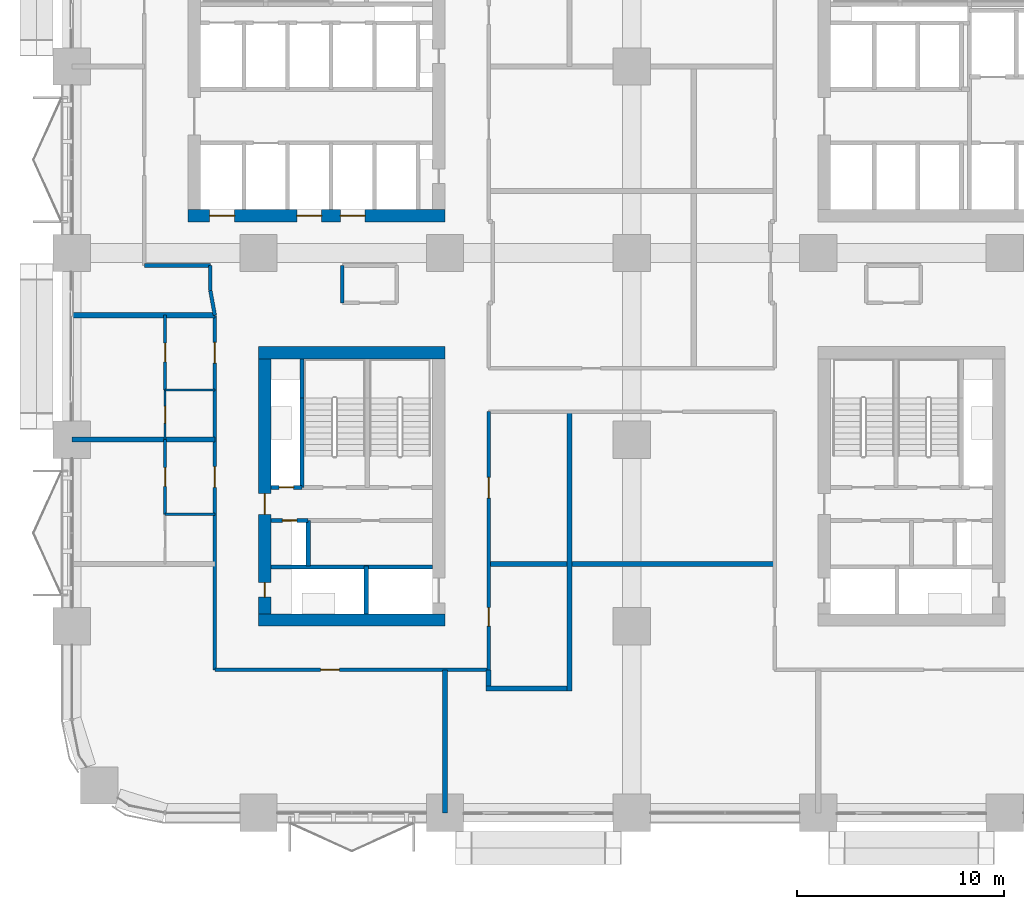
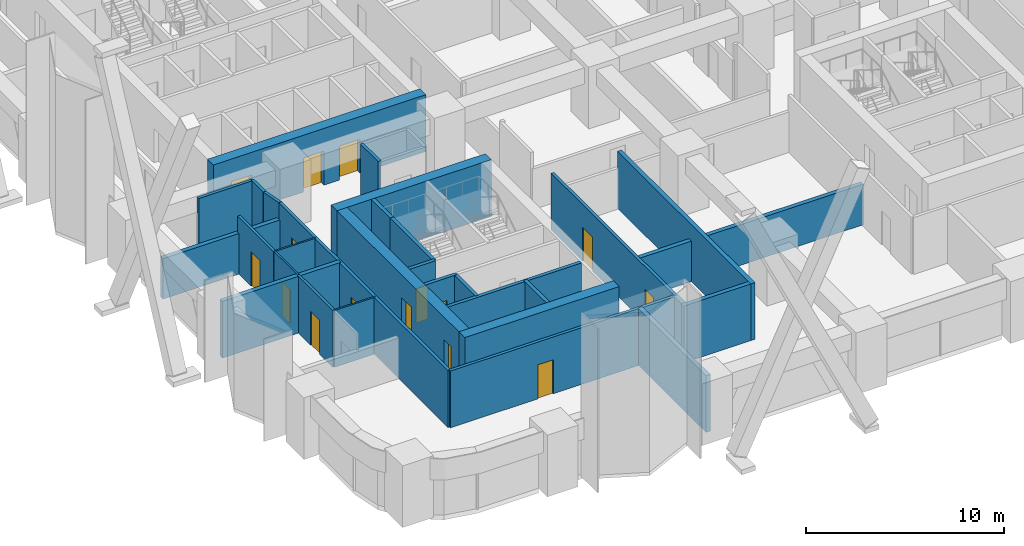
# One storey, part 14 of 23: 30 walls, 15 doors, 15 openings.
"""IFC4 building model written with IfcOpenShell, lengths in metres."""

from ifc_helpers import new_model, si_unit, direction, frame, frame_2d, origin, place, context, subcontext, project, spatial, rectangle, extrude, material, layer, layer_set, type_object, element, fill, save


model = new_model("IFC4")

# Units and contexts
model_context = context("Model", 3, precision=1e-05, world=origin(), true_north=direction((0.0, 1.0)))
body_context = subcontext(model_context, "Body", "Model", "MODEL_VIEW")
ifc_project = project(units=[si_unit("LENGTHUNIT", "METRE"), si_unit("AREAUNIT", "SQUARE_METRE"), si_unit("VOLUMEUNIT", "CUBIC_METRE"), si_unit("PLANEANGLEUNIT", "RADIAN"), si_unit("MASSUNIT", "GRAM", prefix="KILO")], contexts=[model_context])

# Site, building, storey
site_placement = place(None, origin())
site = spatial("IfcSite", under=ifc_project, at=site_placement, CompositionType="ELEMENT")
building_placement = place(site_placement, origin())
building = spatial("IfcBuilding", under=site, at=building_placement, Name="Tessera Arch", CompositionType="ELEMENT")
storey_placement = place(building_placement, frame((0.0, 0.0, 46.199951171875)))
storey = spatial("IfcBuildingStorey", under=building, at=storey_placement, Name="L09", CompositionType="ELEMENT", Elevation=46.199951171875)

# Wall, openings, doors
ifc_material_1 = material(Name="Concrete C70/85", Category="concrete")
ifc_layer_1 = layer(ifc_material_1, 0.60009765625)
ifc_layer_set_1 = layer_set([ifc_layer_1], Name="Core shell wall 600 C70-85")
wall_type_1 = type_object("IfcWallType", Name="Core shell wall 600 C70-85", PredefinedType="SHEAR", material=ifc_layer_set_1)
wall_1_placement = place(storey_placement, frame((5.60009765625, 28.800048828125, 0.0), z_axis=(0.0, 0.0, 1.0), x_axis=(1.0, 0.0, 0.0)))
wall_1 = element("IfcWall", 1, at=wall_1_placement, inside=storey, type_object=wall_type_1, Name="L09 C2 core wall S", PredefinedType="SHEAR", context=body_context, shape_type="SweptSolid", body=[
    extrude(rectangle(XDim=12.39990234375, YDim=0.60009765625, at=frame_2d((6.199951171875, 0.0))), origin(), (0.0, 0.0, 1.0), 3.5),
])
opening_1_placement = place(wall_1_placement, frame((1.050048828125, 0.0, 0.0)))
opening_1 = element("IfcOpeningElement", 2, at=opening_1_placement, cuts=wall_1, Name="Opening L09-C14", PredefinedType="OPENING", context=body_context, shape_type="SweptSolid", body=[
    extrude(rectangle(XDim=1.199951171875, YDim=2.10009765625, at=frame_2d((0.60009765625, 1.050048828125))), frame((0.0, 0.31005859375, 0.0), z_axis=(0.0, -1.0, 0.0), x_axis=(1.0, 0.0, 0.0)), (0.0, 0.0, 1.0), 0.6201171875),
])
opening_2_placement = place(wall_1_placement, frame((5.25, 0.0, 0.0)))
opening_2 = element("IfcOpeningElement", 3, at=opening_2_placement, cuts=wall_1, Name="Opening L09-C16", PredefinedType="OPENING", context=body_context, shape_type="SweptSolid", body=[
    extrude(rectangle(XDim=1.199951171875, YDim=2.10009765625, at=frame_2d((0.60009765625, 1.050048828125))), frame((0.0, 0.31005859375, 0.0), z_axis=(0.0, -1.0, 0.0), x_axis=(1.0, 0.0, 0.0)), (0.0, 0.0, 1.0), 0.6201171875),
])
opening_3_placement = place(wall_1_placement, frame((7.35009765625, 0.0, 0.0)))
opening_3 = element("IfcOpeningElement", 4, at=opening_3_placement, cuts=wall_1, Name="Opening L09-C17", PredefinedType="OPENING", context=body_context, shape_type="SweptSolid", body=[
    extrude(rectangle(XDim=1.199951171875, YDim=2.10009765625, at=frame_2d((0.60009765625, 1.050048828125))), frame((0.0, 0.31005859375, 0.0), z_axis=(0.0, -1.0, 0.0), x_axis=(1.0, 0.0, 0.0)), (0.0, 0.0, 1.0), 0.6201171875),
])
ifc_material_2 = material(Name="Stainless steel AISI 304", Category="steel")
door_type_1 = type_object("IfcDoorType", Name="Sliding landing door 1200 x 2100", OperationType="SLIDING_TO_LEFT", PredefinedType="DOOR", material=ifc_material_2)
door_1_placement = place(opening_1_placement, origin())
door_1 = element("IfcDoor", 5, at=door_1_placement, inside=storey, type_object=door_type_1, Name="L09 LR1 lift landing door C14 type LD", OperationType="SLIDING_TO_LEFT", OverallHeight=2.10009765625, OverallWidth=1.199951171875, PredefinedType="DOOR", context=body_context, shape_type="SweptSolid", body=[
    extrude(rectangle(XDim=1.199951171875, YDim=2.10009765625, at=frame_2d((0.60009765625, 1.050048828125))), frame((0.0, 0.02490234375, 0.0), z_axis=(0.0, -1.0, 0.0), x_axis=(1.0, 0.0, 0.0)), (0.0, 0.0, 1.0), 0.050048828125),
])
fill(opening_1, door_1)
door_2_placement = place(opening_2_placement, origin())
door_2 = element("IfcDoor", 6, at=door_2_placement, inside=storey, type_object=door_type_1, Name="L09 LR3 lift landing door C16 type LD", OperationType="SLIDING_TO_LEFT", OverallHeight=2.10009765625, OverallWidth=1.199951171875, PredefinedType="DOOR", context=body_context, shape_type="SweptSolid", body=[
    extrude(rectangle(XDim=1.199951171875, YDim=2.10009765625, at=frame_2d((0.60009765625, 1.050048828125))), frame((0.0, 0.02490234375, 0.0), z_axis=(0.0, -1.0, 0.0), x_axis=(1.0, 0.0, 0.0)), (0.0, 0.0, 1.0), 0.050048828125),
])
fill(opening_2, door_2)
door_3_placement = place(opening_3_placement, origin())
door_3 = element("IfcDoor", 7, at=door_3_placement, inside=storey, type_object=door_type_1, Name="L09 LR4 lift landing door C17 type LD", OperationType="SLIDING_TO_LEFT", OverallHeight=2.10009765625, OverallWidth=1.199951171875, PredefinedType="DOOR", context=body_context, shape_type="SweptSolid", body=[
    extrude(rectangle(XDim=1.199951171875, YDim=2.10009765625, at=frame_2d((0.60009765625, 1.050048828125))), frame((0.0, 0.02490234375, 0.0), z_axis=(0.0, -1.0, 0.0), x_axis=(1.0, 0.0, 0.0)), (0.0, 0.0, 1.0), 0.050048828125),
])
fill(opening_3, door_3)

# Walls
for number, where, z_axis, x_axis, name in (
    (8, (9.0, 9.300048828125, 0.0), (0.0, 0.0, 1.0), (1.0, 0.0, 0.0), "L09 C4 core wall S"),
    (9, (9.0, 22.199951171875, 0.0), (0.0, 0.0, 1.0), (1.0, 0.0, 0.0), "L09 C4 core wall N"),
):
    element("IfcWall", number, at=place(storey_placement, frame(where, z_axis=z_axis, x_axis=x_axis)), inside=storey, type_object=wall_type_1, Name=name, PredefinedType="SHEAR", context=body_context, shape_type="SweptSolid", body=[
        extrude(rectangle(XDim=9.0, YDim=0.60009765625, at=frame_2d((4.5, 0.0))), origin(), (0.0, 0.0, 1.0), 3.5),
    ])

# Wall, openings, doors
wall_2_placement = place(storey_placement, frame((9.300048828125, 9.60009765625, 0.0), z_axis=(0.0, 0.0, 1.0), x_axis=(0.0, 1.0, 0.0)))
wall_2 = element("IfcWall", 10, at=wall_2_placement, inside=storey, type_object=wall_type_1, Name="L09 C4 core wall W", PredefinedType="SHEAR", context=body_context, shape_type="SweptSolid", body=[
    extrude(rectangle(XDim=12.2998046875, YDim=0.60009765625, at=frame_2d((6.14990234375, 0.0))), origin(), (0.0, 0.0, 1.0), 3.5),
])
opening_4_placement = place(wall_2_placement, frame((0.800048828125, 0.0, 0.0)))
opening_4 = element("IfcOpeningElement", 11, at=opening_4_placement, cuts=wall_2, Name="Opening L09-C47", PredefinedType="OPENING", context=body_context, shape_type="SweptSolid", body=[
    extrude(rectangle(XDim=0.699951171875, YDim=2.10009765625, at=frame_2d((0.35009765625, 1.050048828125))), frame((0.0, 0.31005859375, 0.0), z_axis=(0.0, -1.0, 0.0), x_axis=(1.0, 0.0, 0.0)), (0.0, 0.0, 1.0), 0.6201171875),
])
opening_5_placement = place(wall_2_placement, frame((4.800048828125, 0.0, 0.0)))
opening_5 = element("IfcOpeningElement", 12, at=opening_5_placement, cuts=wall_2, Name="Opening L09-C48", PredefinedType="OPENING", context=body_context, shape_type="SweptSolid", body=[
    extrude(rectangle(XDim=1.0, YDim=2.10009765625, at=frame_2d((0.5, 1.050048828125))), frame((0.0, 0.31005859375, 0.0), z_axis=(0.0, -1.0, 0.0), x_axis=(1.0, 0.0, 0.0)), (0.0, 0.0, 1.0), 0.6201171875),
])
ifc_material_3 = material(Name="Steel door leaf", Category="steel")
door_type_2 = type_object("IfcDoorType", Name="Corridor door FD60 1000 x 2100", OperationType="SINGLE_SWING_LEFT", PredefinedType="DOOR", material=ifc_material_3)
door_4_placement = place(opening_5_placement, origin())
door_4 = element("IfcDoor", 13, at=door_4_placement, inside=storey, type_object=door_type_2, Name="L09 C4 door 7 C48 type D12", OperationType="SINGLE_SWING_LEFT", OverallHeight=2.10009765625, OverallWidth=1.0, PredefinedType="DOOR", context=body_context, shape_type="SweptSolid", body=[
    extrude(rectangle(XDim=1.0, YDim=2.10009765625, at=frame_2d((0.5, 1.050048828125))), frame((0.0, 0.02490234375, 0.0), z_axis=(0.0, -1.0, 0.0), x_axis=(1.0, 0.0, 0.0)), (0.0, 0.0, 1.0), 0.050048828125),
])
fill(opening_5, door_4)
ifc_material_4 = material(Name="Steel door leaf", Category="steel")
door_type_3 = type_object("IfcDoorType", Name="Service shaft door FD60 700 x 2100", OperationType="SINGLE_SWING_LEFT", PredefinedType="DOOR", material=ifc_material_4)
door_5_placement = place(opening_4_placement, origin())
door_5 = element("IfcDoor", 14, at=door_5_placement, inside=storey, type_object=door_type_3, Name="L09 C4 door 6 C47 type D07", OperationType="SINGLE_SWING_LEFT", OverallHeight=2.10009765625, OverallWidth=0.699951171875, PredefinedType="DOOR", context=body_context, shape_type="SweptSolid", body=[
    extrude(rectangle(XDim=0.699951171875, YDim=2.10009765625, at=frame_2d((0.35009765625, 1.050048828125))), frame((0.0, 0.02490234375, 0.0), z_axis=(0.0, -1.0, 0.0), x_axis=(1.0, 0.0, 0.0)), (0.0, 0.0, 1.0), 0.050048828125),
])
fill(opening_4, door_5)

# Wall, opening, door
ifc_material_5 = material(Name="Gypsum board on deep steel stud with mineral wool", Category="steel")
ifc_layer_2 = layer(ifc_material_5, 0.175048828125)
ifc_layer_set_2 = layer_set([ifc_layer_2], Name="Corridor wall 175 EI 60")
wall_type_2 = type_object("IfcWallType", Name="Corridor wall 175 EI 60", PredefinedType="PARTITIONING", material=ifc_layer_set_2)
wall_3_placement = place(storey_placement, frame((6.89990234375, 6.89990234375, 0.0), z_axis=(0.0, 0.0, 1.0), x_axis=(1.0, 0.0, 0.0)))
wall_3 = element("IfcWall", 15, at=wall_3_placement, inside=storey, type_object=wall_type_2, Name="L09 partition 1", PredefinedType="PARTITIONING", context=body_context, shape_type="SweptSolid", body=[
    extrude(rectangle(XDim=13.2001953125, YDim=0.175048828125, at=frame_2d((6.60009765625, 0.0))), origin(), (0.0, 0.0, 1.0), 3.5),
])
opening_6_placement = place(wall_3_placement, frame((5.10009765625, 0.0, 0.0)))
opening_6 = element("IfcOpeningElement", 16, at=opening_6_placement, cuts=wall_3, Name="Opening L09-D001", PredefinedType="OPENING", context=body_context, shape_type="SweptSolid", body=[
    extrude(rectangle(XDim=0.89990234375, YDim=2.10009765625, at=frame_2d((0.449951171875, 1.050048828125))), frame((0.0, 0.097412109375, 0.0), z_axis=(0.0, -1.0, 0.0), x_axis=(1.0, 0.0, 0.0)), (0.0, 0.0, 1.0), 0.195068359375),
])
ifc_material_6 = material(Name="Timber door leaf", Category="wood")
door_type_4 = type_object("IfcDoorType", Name="Room door 900 x 2100", OperationType="SINGLE_SWING_LEFT", PredefinedType="DOOR", material=ifc_material_6)
door_6_placement = place(opening_6_placement, origin())
door_6 = element("IfcDoor", 17, at=door_6_placement, inside=storey, type_object=door_type_4, Name="L09 door D001 type D01", OperationType="SINGLE_SWING_RIGHT", OverallHeight=2.10009765625, OverallWidth=0.89990234375, PredefinedType="DOOR", context=body_context, shape_type="SweptSolid", body=[
    extrude(rectangle(XDim=0.89990234375, YDim=2.10009765625, at=frame_2d((0.449951171875, 1.050048828125))), frame((0.0, 0.02490234375, 0.0), z_axis=(0.0, -1.0, 0.0), x_axis=(1.0, 0.0, 0.0)), (0.0, 0.0, 1.0), 0.050048828125),
])
fill(opening_6, door_6)

# Walls
wall_4_placement = place(storey_placement, frame((3.5, 26.39990234375, 0.0), z_axis=(0.0, 0.0, 1.0), x_axis=(1.0, 0.0, 0.0)))
element("IfcWall", 18, at=wall_4_placement, inside=storey, type_object=wall_type_2, Name="L09 partition 9", PredefinedType="PARTITIONING", context=body_context, shape_type="SweptSolid", body=[
    extrude(rectangle(XDim=3.179931640625, YDim=0.175048828125, at=frame_2d((1.58984375, 0.0))), origin(), (0.0, 0.0, 1.0), 3.5),
])
wall_5_placement = place(storey_placement, frame((6.679931640625, 25.18994140625, 0.0), z_axis=(0.0, 0.0, 1.0), x_axis=(0.0, 1.0, 0.0)))
element("IfcWall", 19, at=wall_5_placement, inside=storey, type_object=wall_type_2, Name="L09 partition 20", PredefinedType="PARTITIONING", context=body_context, shape_type="SweptSolid", body=[
    extrude(rectangle(XDim=1.2099609375, YDim=0.175048828125, at=frame_2d((0.60498046875, 0.0))), origin(), (0.0, 0.0, 1.0), 3.5),
])

# Wall, openings, doors
wall_6_placement = place(storey_placement, frame((6.89990234375, 6.89990234375, 0.0), z_axis=(0.0, 0.0, 1.0), x_axis=(0.0, 1.0, 0.0)))
wall_6 = element("IfcWall", 20, at=wall_6_placement, inside=storey, type_object=wall_type_2, Name="L09 partition 21", PredefinedType="PARTITIONING", context=body_context, shape_type="SweptSolid", body=[
    extrude(rectangle(XDim=17.090087890625, YDim=0.175048828125, at=frame_2d((8.544921875, 0.0))), origin(), (0.0, 0.0, 1.0), 3.5),
])
opening_7_placement = place(wall_6_placement, frame((8.800048828125, 0.0, 0.0)))
opening_7 = element("IfcOpeningElement", 21, at=opening_7_placement, cuts=wall_6, Name="Opening L09-D005", PredefinedType="OPENING", context=body_context, shape_type="SweptSolid", body=[
    extrude(rectangle(XDim=1.0, YDim=2.10009765625, at=frame_2d((0.5, 1.050048828125))), frame((0.0, 0.097412109375, 0.0), z_axis=(0.0, -1.0, 0.0), x_axis=(1.0, 0.0, 0.0)), (0.0, 0.0, 1.0), 0.195068359375),
])
opening_8_placement = place(wall_6_placement, frame((14.794921875, 0.0, 0.0)))
opening_8 = element("IfcOpeningElement", 22, at=opening_8_placement, cuts=wall_6, Name="Opening L09-D013", PredefinedType="OPENING", context=body_context, shape_type="SweptSolid", body=[
    extrude(rectangle(XDim=1.0, YDim=2.10009765625, at=frame_2d((0.5, 1.050048828125))), frame((0.0, 0.097412109375, 0.0), z_axis=(0.0, -1.0, 0.0), x_axis=(1.0, 0.0, 0.0)), (0.0, 0.0, 1.0), 0.195068359375),
])
ifc_material_7 = material(Name="Fire-rated door leaf")
door_type_5 = type_object("IfcDoorType", Name="Entrance door FD30S 1000 x 2100", OperationType="SINGLE_SWING_LEFT", PredefinedType="DOOR", material=ifc_material_7)
door_7_placement = place(opening_7_placement, origin())
door_7 = element("IfcDoor", 23, at=door_7_placement, inside=storey, type_object=door_type_5, Name="L09 door D005 type D03", OperationType="SINGLE_SWING_LEFT", OverallHeight=2.10009765625, OverallWidth=1.0, PredefinedType="DOOR", context=body_context, shape_type="SweptSolid", body=[
    extrude(rectangle(XDim=1.0, YDim=2.10009765625, at=frame_2d((0.5, 1.050048828125))), frame((0.0, 0.02490234375, 0.0), z_axis=(0.0, -1.0, 0.0), x_axis=(1.0, 0.0, 0.0)), (0.0, 0.0, 1.0), 0.050048828125),
])
fill(opening_7, door_7)
door_8_placement = place(opening_8_placement, origin())
door_8 = element("IfcDoor", 24, at=door_8_placement, inside=storey, type_object=door_type_5, Name="L09 door D013 type D03", OperationType="SINGLE_SWING_LEFT", OverallHeight=2.10009765625, OverallWidth=1.0, PredefinedType="DOOR", context=body_context, shape_type="SweptSolid", body=[
    extrude(rectangle(XDim=1.0, YDim=2.10009765625, at=frame_2d((0.5, 1.050048828125))), frame((0.0, 0.02490234375, 0.0), z_axis=(0.0, -1.0, 0.0), x_axis=(1.0, 0.0, 0.0)), (0.0, 0.0, 1.0), 0.050048828125),
])
fill(opening_8, door_8)

# Wall
wall_7_placement = place(storey_placement, frame((13.050048828125, 24.60009765625, 0.0), z_axis=(0.0, 0.0, 1.0), x_axis=(0.0, 1.0, 0.0)))
element("IfcWall", 25, at=wall_7_placement, inside=storey, type_object=wall_type_2, Name="L09 partition 22", PredefinedType="PARTITIONING", context=body_context, shape_type="SweptSolid", body=[
    extrude(rectangle(XDim=1.7998046875, YDim=0.175048828125, at=frame_2d((0.89990234375, 0.0))), origin(), (0.0, 0.0, 1.0), 3.5),
])

# Wall, openings, doors
wall_8_placement = place(storey_placement, frame((20.10009765625, 6.89990234375, 0.0), z_axis=(0.0, 0.0, 1.0), x_axis=(0.0, 1.0, 0.0)))
wall_8 = element("IfcWall", 26, at=wall_8_placement, inside=storey, type_object=wall_type_2, Name="L09 partition 24", PredefinedType="PARTITIONING", context=body_context, shape_type="SweptSolid", body=[
    extrude(rectangle(XDim=12.4501953125, YDim=0.175048828125, at=frame_2d((6.22509765625, 0.0))), origin(), (0.0, 0.0, 1.0), 3.5),
])
opening_9_placement = place(wall_8_placement, frame((2.10009765625, 0.0, 0.0)))
opening_9 = element("IfcOpeningElement", 27, at=opening_9_placement, cuts=wall_8, Name="Opening L09-D004", PredefinedType="OPENING", context=body_context, shape_type="SweptSolid", body=[
    extrude(rectangle(XDim=0.89990234375, YDim=2.10009765625, at=frame_2d((0.449951171875, 1.050048828125))), frame((0.0, 0.097412109375, 0.0), z_axis=(0.0, -1.0, 0.0), x_axis=(1.0, 0.0, 0.0)), (0.0, 0.0, 1.0), 0.195068359375),
])
opening_10_placement = place(wall_8_placement, frame((8.27490234375, 0.0, 0.0)))
opening_10 = element("IfcOpeningElement", 28, at=opening_10_placement, cuts=wall_8, Name="Opening L09-D008", PredefinedType="OPENING", context=body_context, shape_type="SweptSolid", body=[
    extrude(rectangle(XDim=1.0, YDim=2.10009765625, at=frame_2d((0.5, 1.050048828125))), frame((0.0, 0.097412109375, 0.0), z_axis=(0.0, -1.0, 0.0), x_axis=(1.0, 0.0, 0.0)), (0.0, 0.0, 1.0), 0.195068359375),
])
door_9_placement = place(opening_10_placement, origin())
door_9 = element("IfcDoor", 29, at=door_9_placement, inside=storey, type_object=door_type_5, Name="L09 door D008 type D03", OperationType="SINGLE_SWING_LEFT", OverallHeight=2.10009765625, OverallWidth=1.0, PredefinedType="DOOR", context=body_context, shape_type="SweptSolid", body=[
    extrude(rectangle(XDim=1.0, YDim=2.10009765625, at=frame_2d((0.5, 1.050048828125))), frame((0.0, 0.02490234375, 0.0), z_axis=(0.0, -1.0, 0.0), x_axis=(1.0, 0.0, 0.0)), (0.0, 0.0, 1.0), 0.050048828125),
])
fill(opening_10, door_9)
door_10_placement = place(opening_9_placement, origin())
door_10 = element("IfcDoor", 30, at=door_10_placement, inside=storey, type_object=door_type_4, Name="L09 door D004 type D01", OperationType="SINGLE_SWING_LEFT", OverallHeight=2.10009765625, OverallWidth=0.89990234375, PredefinedType="DOOR", context=body_context, shape_type="SweptSolid", body=[
    extrude(rectangle(XDim=0.89990234375, YDim=2.10009765625, at=frame_2d((0.449951171875, 1.050048828125))), frame((0.0, 0.02490234375, 0.0), z_axis=(0.0, -1.0, 0.0), x_axis=(1.0, 0.0, 0.0)), (0.0, 0.0, 1.0), 0.050048828125),
])
fill(opening_9, door_10)

# Wall
wall_9_placement = place(storey_placement, frame((6.8984375, 23.998046875, 0.0), z_axis=(0.0, 0.0, 1.0), x_axis=(-0.180321371357, 0.983607748562, 0.0)))
element("IfcWall", 31, at=wall_9_placement, inside=storey, type_object=wall_type_2, Name="L09 partition 73", PredefinedType="PARTITIONING", context=body_context, shape_type="SweptSolid", body=[
    extrude(rectangle(XDim=1.211669921875, YDim=0.175048828125, at=frame_2d((0.60595703125, 0.0))), origin(), (0.0, 0.0, 1.0), 3.5),
])

# Wall, opening, door
ifc_material_8 = material(Name="Gypsum board on steel stud", Category="steel")
ifc_layer_3 = layer(ifc_material_8, 0.14990234375)
ifc_layer_set_3 = layer_set([ifc_layer_3], Name="Partition 150")
wall_type_3 = type_object("IfcWallType", Name="Partition 150", PredefinedType="PARTITIONING", material=ifc_layer_set_3)
wall_10_placement = place(storey_placement, frame((4.5, 14.39990234375, 0.0), z_axis=(0.0, 0.0, 1.0), x_axis=(0.0, 1.0, 0.0)))
wall_10 = element("IfcWall", 32, at=wall_10_placement, inside=storey, type_object=wall_type_3, Name="L09 partition 39", PredefinedType="PARTITIONING", context=body_context, shape_type="SweptSolid", body=[
    extrude(rectangle(XDim=3.60009765625, YDim=0.14990234375, at=frame_2d((1.800048828125, 0.0))), origin(), (0.0, 0.0, 1.0), 3.5),
])
opening_11_placement = place(wall_10_placement, frame((1.35009765625, 0.0, 0.0)))
opening_11 = element("IfcOpeningElement", 33, at=opening_11_placement, cuts=wall_10, Name="Opening L09-D006", PredefinedType="OPENING", context=body_context, shape_type="SweptSolid", body=[
    extrude(rectangle(XDim=0.89990234375, YDim=2.10009765625, at=frame_2d((0.449951171875, 1.050048828125))), frame((0.0, 0.0849609375, 0.0), z_axis=(0.0, -1.0, 0.0), x_axis=(1.0, 0.0, 0.0)), (0.0, 0.0, 1.0), 0.169921875),
])
door_11_placement = place(opening_11_placement, origin())
door_11 = element("IfcDoor", 34, at=door_11_placement, inside=storey, type_object=door_type_4, Name="L09 door D006 type D01", OperationType="SINGLE_SWING_RIGHT", OverallHeight=2.10009765625, OverallWidth=0.89990234375, PredefinedType="DOOR", context=body_context, shape_type="SweptSolid", body=[
    extrude(rectangle(XDim=0.89990234375, YDim=2.10009765625, at=frame_2d((0.449951171875, 1.050048828125))), frame((0.0, 0.02490234375, 0.0), z_axis=(0.0, -1.0, 0.0), x_axis=(1.0, 0.0, 0.0)), (0.0, 0.0, 1.0), 0.050048828125),
])
fill(opening_11, door_11)

wall_11_placement = place(storey_placement, frame((4.5, 20.39990234375, 0.0), z_axis=(0.0, 0.0, 1.0), x_axis=(0.0, 1.0, 0.0)))
wall_11 = element("IfcWall", 35, at=wall_11_placement, inside=storey, type_object=wall_type_3, Name="L09 partition 40", PredefinedType="PARTITIONING", context=body_context, shape_type="SweptSolid", body=[
    extrude(rectangle(XDim=3.60009765625, YDim=0.14990234375, at=frame_2d((1.800048828125, 0.0))), origin(), (0.0, 0.0, 1.0), 3.5),
])
opening_12_placement = place(wall_11_placement, frame((1.35009765625, 0.0, 0.0)))
opening_12 = element("IfcOpeningElement", 36, at=opening_12_placement, cuts=wall_11, Name="Opening L09-D014", PredefinedType="OPENING", context=body_context, shape_type="SweptSolid", body=[
    extrude(rectangle(XDim=0.89990234375, YDim=2.10009765625, at=frame_2d((0.449951171875, 1.050048828125))), frame((0.0, 0.0849609375, 0.0), z_axis=(0.0, -1.0, 0.0), x_axis=(1.0, 0.0, 0.0)), (0.0, 0.0, 1.0), 0.169921875),
])
door_12_placement = place(opening_12_placement, origin())
door_12 = element("IfcDoor", 37, at=door_12_placement, inside=storey, type_object=door_type_4, Name="L09 door D014 type D01", OperationType="SINGLE_SWING_RIGHT", OverallHeight=2.10009765625, OverallWidth=0.89990234375, PredefinedType="DOOR", context=body_context, shape_type="SweptSolid", body=[
    extrude(rectangle(XDim=0.89990234375, YDim=2.10009765625, at=frame_2d((0.449951171875, 1.050048828125))), frame((0.0, 0.02490234375, 0.0), z_axis=(0.0, -1.0, 0.0), x_axis=(1.0, 0.0, 0.0)), (0.0, 0.0, 1.0), 0.050048828125),
])
fill(opening_12, door_12)

# Walls
ifc_material_9 = material(Name="Double gypsum board on twin steel stud with acoustic mineral wool", Category="steel")
ifc_layer_4 = layer(ifc_material_9, 0.25)
ifc_layer_set_4 = layer_set([ifc_layer_4], Name="Party wall 250 EI 60")
wall_type_4 = type_object("IfcWallType", Name="Party wall 250 EI 60", PredefinedType="PARTITIONING", material=ifc_layer_set_4)
wall_12_placement = place(storey_placement, frame((19.97509765625, 6.0, 0.0), z_axis=(0.0, 0.0, 1.0), x_axis=(1.0, 0.0, 0.0)))
element("IfcWall", 38, at=wall_12_placement, inside=storey, type_object=wall_type_4, Name="L09 partition 42", PredefinedType="PARTITIONING", context=body_context, shape_type="SweptSolid", body=[
    extrude(rectangle(XDim=3.89990234375, YDim=0.25, at=frame_2d((1.949951171875, 0.0))), origin(), (0.0, 0.0, 1.0), 3.5),
])
wall_13_placement = place(storey_placement, frame((20.10009765625, 12.0, 0.0), z_axis=(0.0, 0.0, 1.0), x_axis=(1.0, 0.0, 0.0)))
element("IfcWall", 39, at=wall_13_placement, inside=storey, type_object=wall_type_4, Name="L09 partition 44", PredefinedType="PARTITIONING", context=body_context, shape_type="SweptSolid", body=[
    extrude(rectangle(XDim=13.7998046875, YDim=0.25, at=frame_2d((6.89990234375, 0.0))), origin(), (0.0, 0.0, 1.0), 2.5),
])
wall_14_placement = place(storey_placement, frame((0.0, 18.0, 0.0), z_axis=(0.0, 0.0, 1.0), x_axis=(1.0, 0.0, 0.0)))
element("IfcWall", 40, at=wall_14_placement, inside=storey, type_object=wall_type_4, Name="L09 partition 46", PredefinedType="PARTITIONING", context=body_context, shape_type="SweptSolid", body=[
    extrude(rectangle(XDim=6.89990234375, YDim=0.25, at=frame_2d((3.449951171875, 0.0))), origin(), (0.0, 0.0, 1.0), 3.5),
])
wall_15_placement = place(storey_placement, frame((0.0, 24.0, 0.0), z_axis=(0.0, 0.0, 1.0), x_axis=(1.0, 0.0, 0.0)))
element("IfcWall", 41, at=wall_15_placement, inside=storey, type_object=wall_type_4, Name="L09 partition 47", PredefinedType="PARTITIONING", context=body_context, shape_type="SweptSolid", body=[
    extrude(rectangle(XDim=6.898193359375, YDim=0.25, at=frame_2d((3.44921875, 0.0))), origin(), (0.0, 0.0, 1.0), 2.5),
])
wall_16_placement = place(storey_placement, frame((18.0, 0.0, 0.0), z_axis=(0.0, 0.0, 1.0), x_axis=(0.0, 1.0, 0.0)))
element("IfcWall", 42, at=wall_16_placement, inside=storey, type_object=wall_type_4, Name="L09 partition 56", PredefinedType="PARTITIONING", context=body_context, shape_type="SweptSolid", body=[
    extrude(rectangle(XDim=6.89990234375, YDim=0.25, at=frame_2d((3.449951171875, 0.0))), origin(), (0.0, 0.0, 1.0), 3.5),
])
wall_17_placement = place(storey_placement, frame((20.10009765625, 6.125, 0.0), z_axis=(0.0, 0.0, 1.0), x_axis=(0.0, 1.0, 0.0)))
element("IfcWall", 43, at=wall_17_placement, inside=storey, type_object=wall_type_4, Name="L09 partition 58", PredefinedType="PARTITIONING", context=body_context, shape_type="SweptSolid", body=[
    extrude(rectangle(XDim=0.77490234375, YDim=0.25, at=frame_2d((0.387451171875, 0.0))), origin(), (0.0, 0.0, 1.0), 3.5),
])
wall_18_placement = place(storey_placement, frame((24.0, 5.875, 0.0), z_axis=(0.0, 0.0, 1.0), x_axis=(0.0, 1.0, 0.0)))
element("IfcWall", 44, at=wall_18_placement, inside=storey, type_object=wall_type_4, Name="L09 partition 59", PredefinedType="PARTITIONING", context=body_context, shape_type="SweptSolid", body=[
    extrude(rectangle(XDim=13.47509765625, YDim=0.25, at=frame_2d((6.737548828125, 0.0))), origin(), (0.0, 0.0, 1.0), 3.5),
])
ifc_material_10 = material(Name="Concrete C40/50", Category="concrete")
ifc_layer_5 = layer(ifc_material_10, 0.199951171875)
ifc_layer_set_5 = layer_set([ifc_layer_5], Name="Shaft wall 200 EI 120")
wall_type_5 = type_object("IfcWallType", Name="Shaft wall 200 EI 120", PredefinedType="SOLIDWALL", material=ifc_layer_set_5)
wall_19_placement = place(storey_placement, frame((11.39990234375, 11.89990234375, 0.0), z_axis=(0.0, 0.0, 1.0), x_axis=(0.0, 1.0, 0.0)))
element("IfcWall", 45, at=wall_19_placement, inside=storey, type_object=wall_type_5, Name="L09 C4 shaft wall 3", PredefinedType="SOLIDWALL", context=body_context, shape_type="SweptSolid", body=[
    extrude(rectangle(XDim=2.2001953125, YDim=0.199951171875, at=frame_2d((1.10009765625, 0.0))), origin(), (0.0, 0.0, 1.0), 3.5),
])
wall_20_placement = place(storey_placement, frame((14.199951171875, 9.60009765625, 0.0), z_axis=(0.0, 0.0, 1.0), x_axis=(0.0, 1.0, 0.0)))
element("IfcWall", 46, at=wall_20_placement, inside=storey, type_object=wall_type_5, Name="L09 C4 shaft wall 4", PredefinedType="SOLIDWALL", context=body_context, shape_type="SweptSolid", body=[
    extrude(rectangle(XDim=2.2998046875, YDim=0.199951171875, at=frame_2d((1.14990234375, 0.0))), origin(), (0.0, 0.0, 1.0), 3.5),
])
wall_21_placement = place(storey_placement, frame((9.60009765625, 11.85009765625, 0.0), z_axis=(0.0, 0.0, 1.0), x_axis=(1.0, 0.0, 0.0)))
element("IfcWall", 47, at=wall_21_placement, inside=storey, type_object=wall_type_5, Name="L09 C4 shaft wall 7", PredefinedType="SOLIDWALL", context=body_context, shape_type="SweptSolid", body=[
    extrude(rectangle(XDim=7.7998046875, YDim=0.199951171875, at=frame_2d((3.89990234375, 0.0))), origin(), (0.0, 0.0, 1.0), 3.5),
])

# Wall, opening, door
wall_22_placement = place(storey_placement, frame((9.60009765625, 14.10009765625, 0.0), z_axis=(0.0, 0.0, 1.0), x_axis=(1.0, 0.0, 0.0)))
wall_22 = element("IfcWall", 48, at=wall_22_placement, inside=storey, type_object=wall_type_5, Name="L09 C4 shaft wall 9", PredefinedType="SOLIDWALL", context=body_context, shape_type="SweptSolid", body=[
    extrude(rectangle(XDim=1.7998046875, YDim=0.199951171875, at=frame_2d((0.89990234375, 0.0))), origin(), (0.0, 0.0, 1.0), 3.5),
])
opening_13_placement = place(wall_22_placement, frame((0.550048828125, 0.0, 0.0)))
opening_13 = element("IfcOpeningElement", 49, at=opening_13_placement, cuts=wall_22, Name="Opening L09-C46", PredefinedType="OPENING", context=body_context, shape_type="SweptSolid", body=[
    extrude(rectangle(XDim=0.699951171875, YDim=2.10009765625, at=frame_2d((0.35009765625, 1.050048828125))), frame((0.0, 0.10986328125, 0.0), z_axis=(0.0, -1.0, 0.0), x_axis=(1.0, 0.0, 0.0)), (0.0, 0.0, 1.0), 0.219970703125),
])
door_13_placement = place(opening_13_placement, origin())
door_13 = element("IfcDoor", 50, at=door_13_placement, inside=storey, type_object=door_type_3, Name="L09 C4 door 5 C46 type D07", OperationType="SINGLE_SWING_LEFT", OverallHeight=2.10009765625, OverallWidth=0.699951171875, PredefinedType="DOOR", context=body_context, shape_type="SweptSolid", body=[
    extrude(rectangle(XDim=0.699951171875, YDim=2.10009765625, at=frame_2d((0.35009765625, 1.050048828125))), frame((0.0, 0.02490234375, 0.0), z_axis=(0.0, -1.0, 0.0), x_axis=(1.0, 0.0, 0.0)), (0.0, 0.0, 1.0), 0.050048828125),
])
fill(opening_13, door_13)

wall_23_placement = place(storey_placement, frame((9.60009765625, 15.699951171875, 0.0), z_axis=(0.0, 0.0, 1.0), x_axis=(1.0, 0.0, 0.0)))
wall_23 = element("IfcWall", 51, at=wall_23_placement, inside=storey, type_object=wall_type_5, Name="L09 C4 shaft wall 10", PredefinedType="SOLIDWALL", context=body_context, shape_type="SweptSolid", body=[
    extrude(rectangle(XDim=1.5, YDim=0.199951171875, at=frame_2d((0.75, 0.0))), origin(), (0.0, 0.0, 1.0), 3.5),
])
opening_14_placement = place(wall_23_placement, frame((0.39990234375, 0.0, 0.0)))
opening_14 = element("IfcOpeningElement", 52, at=opening_14_placement, cuts=wall_23, Name="Opening L09-C45", PredefinedType="OPENING", context=body_context, shape_type="SweptSolid", body=[
    extrude(rectangle(XDim=0.699951171875, YDim=2.10009765625, at=frame_2d((0.35009765625, 1.050048828125))), frame((0.0, 0.10986328125, 0.0), z_axis=(0.0, -1.0, 0.0), x_axis=(1.0, 0.0, 0.0)), (0.0, 0.0, 1.0), 0.219970703125),
])
door_14_placement = place(opening_14_placement, origin())
door_14 = element("IfcDoor", 53, at=door_14_placement, inside=storey, type_object=door_type_3, Name="L09 C4 door 4 C45 type D07", OperationType="SINGLE_SWING_LEFT", OverallHeight=2.10009765625, OverallWidth=0.699951171875, PredefinedType="DOOR", context=body_context, shape_type="SweptSolid", body=[
    extrude(rectangle(XDim=0.699951171875, YDim=2.10009765625, at=frame_2d((0.35009765625, 1.050048828125))), frame((0.0, 0.02490234375, 0.0), z_axis=(0.0, -1.0, 0.0), x_axis=(1.0, 0.0, 0.0)), (0.0, 0.0, 1.0), 0.050048828125),
])
fill(opening_14, door_14)

# Walls
ifc_material_11 = material(Name="Concrete C40/50", Category="concrete")
ifc_layer_6 = layer(ifc_material_11, 0.199951171875)
ifc_layer_set_6 = layer_set([ifc_layer_6], Name="Stair well wall 200 REI 180")
wall_type_6 = type_object("IfcWallType", Name="Stair well wall 200 REI 180", PredefinedType="SOLIDWALL", material=ifc_layer_set_6)
wall_24_placement = place(storey_placement, frame((11.10009765625, 15.699951171875, 0.0), z_axis=(0.0, 0.0, 1.0), x_axis=(0.0, 1.0, 0.0)))
element("IfcWall", 54, at=wall_24_placement, inside=storey, type_object=wall_type_6, Name="L09 C4 shaft wall 1", PredefinedType="SOLIDWALL", context=body_context, shape_type="SweptSolid", body=[
    extrude(rectangle(XDim=4.300048828125, YDim=0.199951171875, at=frame_2d((2.14990234375, 0.0))), origin(), (0.0, 0.0, 1.0), 3.5),
])
wall_25_placement = place(storey_placement, frame((11.10009765625, 20.0, 0.0), z_axis=(0.0, 0.0, 1.0), x_axis=(0.0, 1.0, 0.0)))
element("IfcWall", 55, at=wall_25_placement, inside=storey, type_object=wall_type_6, Name="L09 C4 shaft wall 2", PredefinedType="SOLIDWALL", context=body_context, shape_type="SweptSolid", body=[
    extrude(rectangle(XDim=1.89990234375, YDim=0.199951171875, at=frame_2d((0.949951171875, 0.0))), origin(), (0.0, 0.0, 1.0), 3.5),
])
ifc_material_12 = material(Name="Moisture-resistant board on pre-plumbed steel stud", Category="steel")
ifc_layer_7 = layer(ifc_material_12, 0.10009765625)
ifc_layer_set_7 = layer_set([ifc_layer_7], Name="Wet wall 100")
wall_type_7 = type_object("IfcWallType", Name="Wet wall 100", PredefinedType="PARTITIONING", material=ifc_layer_set_7)
for number, where, z_axis, x_axis, name in (
    (56, (4.5, 14.39990234375, 0.0), (0.0, 0.0, 1.0), (1.0, 0.0, 0.0), "L09 partition 67"),
    (57, (4.5, 20.39990234375, 0.0), (0.0, 0.0, 1.0), (1.0, 0.0, 0.0), "L09 partition 68"),
):
    element("IfcWall", number, at=place(storey_placement, frame(where, z_axis=z_axis, x_axis=x_axis)), inside=storey, type_object=wall_type_7, Name=name, PredefinedType="PARTITIONING", context=body_context, shape_type="SweptSolid", body=[
        extrude(rectangle(XDim=2.39990234375, YDim=0.10009765625, at=frame_2d((1.199951171875, 0.0))), origin(), (0.0, 0.0, 1.0), 3.5),
    ])

# Wall, opening, door
wall_26_placement = place(storey_placement, frame((4.5, 18.0, 0.0), z_axis=(0.0, 0.0, 1.0), x_axis=(0.0, 1.0, 0.0)))
wall_26 = element("IfcWall", 58, at=wall_26_placement, inside=storey, type_object=wall_type_7, Name="L09 partition 71", PredefinedType="PARTITIONING", context=body_context, shape_type="SweptSolid", body=[
    extrude(rectangle(XDim=2.39990234375, YDim=0.10009765625, at=frame_2d((1.199951171875, 0.0))), origin(), (0.0, 0.0, 1.0), 3.5),
])
opening_15_placement = place(wall_26_placement, frame((0.800048828125, 0.0, 0.0)))
opening_15 = element("IfcOpeningElement", 59, at=opening_15_placement, cuts=wall_26, Name="Opening L09-D015", PredefinedType="OPENING", context=body_context, shape_type="SweptSolid", body=[
    extrude(rectangle(XDim=0.800048828125, YDim=2.10009765625, at=frame_2d((0.39990234375, 1.050048828125))), frame((0.0, 0.06005859375, 0.0), z_axis=(0.0, -1.0, 0.0), x_axis=(1.0, 0.0, 0.0)), (0.0, 0.0, 1.0), 0.1201171875),
])
ifc_material_13 = material(Name="Timber door leaf", Category="wood")
door_type_6 = type_object("IfcDoorType", Name="En-suite door 800 x 2100", OperationType="SINGLE_SWING_LEFT", PredefinedType="DOOR", material=ifc_material_13)
door_15_placement = place(opening_15_placement, origin())
door_15 = element("IfcDoor", 60, at=door_15_placement, inside=storey, type_object=door_type_6, Name="L09 door D015 type D02", OperationType="SINGLE_SWING_LEFT", OverallHeight=2.10009765625, OverallWidth=0.800048828125, PredefinedType="DOOR", context=body_context, shape_type="SweptSolid", body=[
    extrude(rectangle(XDim=0.800048828125, YDim=2.10009765625, at=frame_2d((0.39990234375, 1.050048828125))), frame((0.0, 0.02490234375, 0.0), z_axis=(0.0, -1.0, 0.0), x_axis=(1.0, 0.0, 0.0)), (0.0, 0.0, 1.0), 0.050048828125),
])
fill(opening_15, door_15)

save(model, "model.ifc")
